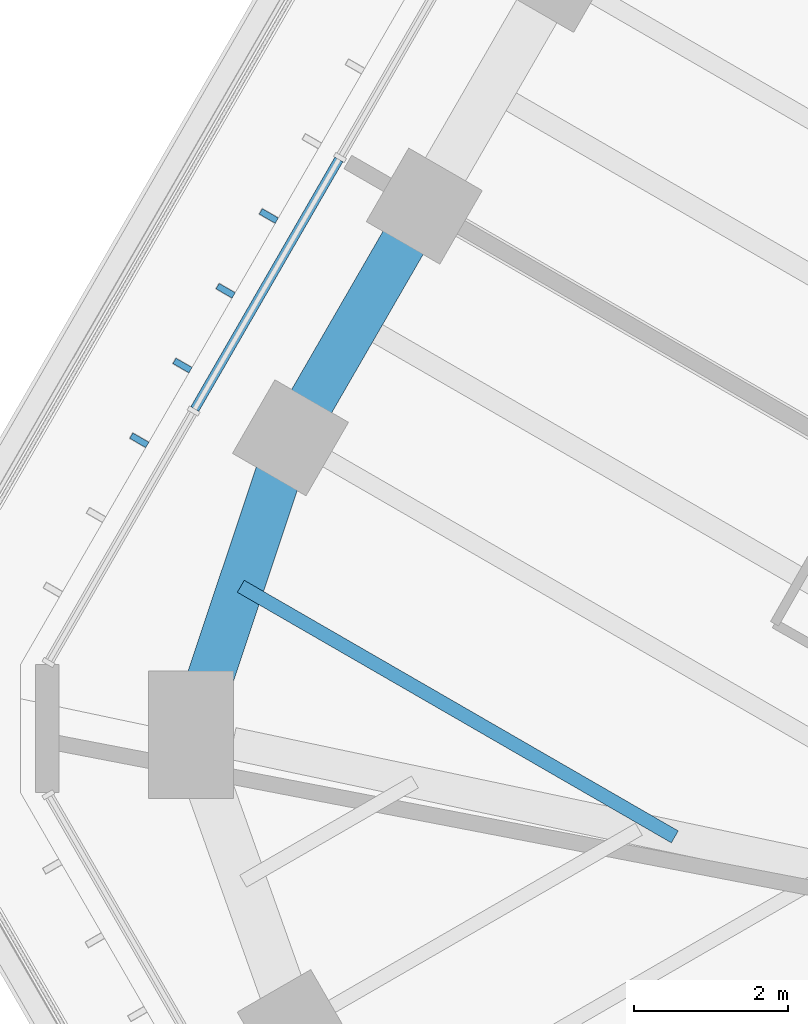
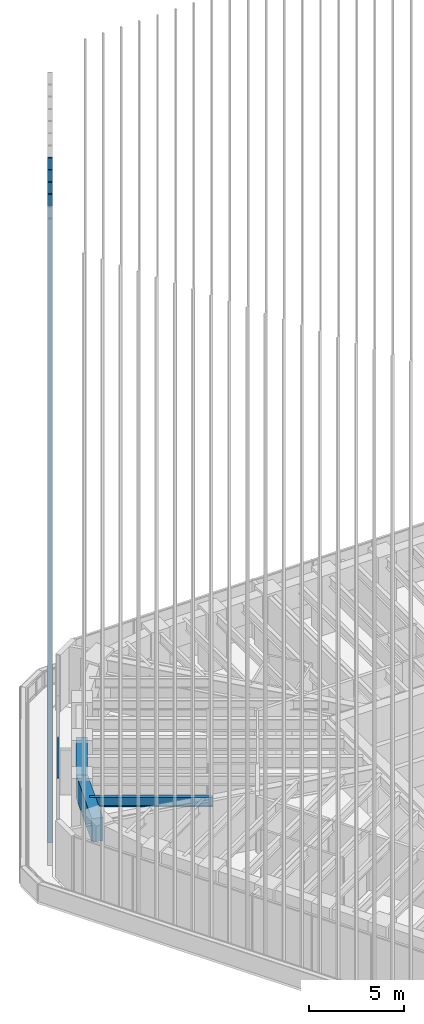
# One storey, part 58 of 127: 5 members, 3 beams, 1 element without a shape of its own.
"""IFC4 building model written with IfcOpenShell, lengths in metres."""

from ifc_helpers import new_model, si_unit, direction, frame, origin, origin_2d, place, context, subcontext, project, spatial, rectangle, i_section, extrude, material, material_profile, profile_set, type_object, element, aggregate, save


model = new_model("IFC4")

# Units and contexts
model_context = context("Model", 3, precision=1e-05, world=origin(), true_north=direction((0.0, 1.0)))
body_context = subcontext(model_context, "Body", "Model", "MODEL_VIEW")
ifc_project = project(units=[si_unit("LENGTHUNIT", "METRE"), si_unit("AREAUNIT", "SQUARE_METRE"), si_unit("VOLUMEUNIT", "CUBIC_METRE"), si_unit("PLANEANGLEUNIT", "RADIAN"), si_unit("MASSUNIT", "GRAM", prefix="KILO")], contexts=[model_context])

# Site, building, storey
site_placement = place(None, origin())
site = spatial("IfcSite", under=ifc_project, at=site_placement, CompositionType="ELEMENT")
building_placement = place(site_placement, origin())
building = spatial("IfcBuilding", under=site, at=building_placement, Name="Sandreach Pilgrim Tower", CompositionType="ELEMENT")
storey_placement = place(building_placement, frame((0.0, 0.0, 257.0)))
storey = spatial("IfcBuildingStorey", under=building, at=storey_placement, Name="L64", CompositionType="ELEMENT", Elevation=257.0)

# Curtain wall, member
ifc_material_1 = material(Name="Aluminium framed curtain wall", Category="aluminium")
curtain_wall_type = type_object("IfcCurtainWallType", Name="Suite tower curtain wall", PredefinedType="NOTDEFINED", material=ifc_material_1)
curtain_wall_placement = place(storey_placement, origin())
curtain_wall = element("IfcCurtainWall", 1, at=curtain_wall_placement, inside=storey, type_object=curtain_wall_type, Name="CW-4 L64 NW", PredefinedType="NOTDEFINED")
ifc_material_2 = material(Name="Aluminium extrusion", Category="aluminium")
ifc_material_profile_1 = material_profile(ifc_material_2, rectangle(XDim=0.1201171875, YDim=0.070068359375, at=origin_2d()), Name="CW-4T 120X70")
ifc_profile_set_1 = profile_set([ifc_material_profile_1], Name="Aluminium extrusion")
member_type_1 = type_object("IfcMemberType", Name="CW-4 transom", PredefinedType="USERDEFINED", material=ifc_profile_set_1)
member_1_placement = place(storey_placement, frame((-23.408447265625, 9.17138671875, 3.60498046875), z_axis=(0.499981083104, 0.866036325184, 0.0), x_axis=(-0.866036325184, 0.499981083104, 0.0)))
member_1 = element("IfcMember", 2, at=member_1_placement, type_object=member_type_1, Name="CW-4 head transom 2", ObjectType="TRANSOM", PredefinedType="USERDEFINED", context=body_context, shape_type="SweptSolid", body=[
    extrude(rectangle(XDim=0.1201171875, YDim=0.070068359375, at=origin_2d()), origin(), (0.0, 0.0, 1.0), 3.731689453125),
])

# Beams
ifc_material_3 = material(Name="Steel ASTM A992 Grade 50", Category="steel")
ifc_material_profile_2 = material_profile(ifc_material_3, i_section(OverallWidth=0.1787109375, OverallDepth=0.60205078125, WebThickness=0.010986328125, FlangeThickness=0.014892578125, at=origin_2d()), Name="W24X62")
ifc_profile_set_2 = profile_set([ifc_material_profile_2], Name="Steel ASTM A992 Grade 50")
beam_type_1 = type_object("IfcBeamType", Name="Floor beam W24X62", PredefinedType="BEAM", material=ifc_profile_set_2)
beam_1_placement = place(storey_placement, frame((-22.8125, 6.875, 3.339111328125), z_axis=(0.866023980233, -0.500002465655, 0.0), x_axis=(0.500002465655, 0.866023980233, 0.0)))
element("IfcBeam", 3, at=beam_1_placement, inside=storey, type_object=beam_type_1, Name="BM L64 FM35", PredefinedType="BEAM", context=body_context, shape_type="SweptSolid", body=[
    extrude(i_section(OverallWidth=0.1787109375, OverallDepth=0.60205078125, WebThickness=0.010986328125, FlangeThickness=0.014892578125, at=origin_2d()), origin(), (0.0, 0.0, 1.0), 6.49072265625),
])
ifc_material_4 = material(Name="Concrete 10000 psi", Category="concrete")
ifc_material_profile_3 = material_profile(ifc_material_4, rectangle(XDim=0.60009765625, YDim=1.5, at=origin_2d()), Name="RC600X1500")
ifc_profile_set_3 = profile_set([ifc_material_profile_3], Name="Concrete 10000 psi")
beam_type_2 = type_object("IfcBeamType", Name="Spandrel beam RC600X1500", PredefinedType="SPANDREL", material=ifc_profile_set_3)
beam_2_placement = place(storey_placement, frame((-23.455810546875, 4.952392578125, 2.889892578125), z_axis=(0.317293238289, 0.948327475578, 0.0), x_axis=(-0.948327475578, 0.317293238289, 0.0)))
element("IfcBeam", 4, at=beam_2_placement, inside=storey, type_object=beam_type_2, Name="BM L64 SP35", PredefinedType="SPANDREL", context=body_context, shape_type="SweptSolid", body=[
    extrude(rectangle(XDim=0.60009765625, YDim=1.5, at=origin_2d()), origin(), (0.0, 0.0, 1.0), 4.054931640625),
])
beam_3_placement = place(storey_placement, frame((-22.169189453125, 8.7978515625, 2.889892578125), z_axis=(0.499980616072, 0.866036594811, 0.0), x_axis=(-0.866036594811, 0.499980616072, 0.0)))
element("IfcBeam", 5, at=beam_3_placement, inside=storey, type_object=beam_type_2, Name="BM L64 SP36", PredefinedType="SPANDREL", context=body_context, shape_type="SweptSolid", body=[
    extrude(rectangle(XDim=0.60009765625, YDim=1.5, at=origin_2d()), origin(), (0.0, 0.0, 1.0), 3.465576171875),
])

# Member
ifc_material_5 = material(Name="Extruded terracotta on aluminium core", Category="masonry")
ifc_material_profile_4 = material_profile(ifc_material_5, rectangle(XDim=0.080078125, YDim=0.239990234375, at=origin_2d()), Name="TBW 80X240")
ifc_profile_set_4 = profile_set([ifc_material_profile_4], Name="Extruded terracotta on aluminium core")
member_type_2 = type_object("IfcMemberType", Name="Terracotta baguette west", PredefinedType="USERDEFINED", material=ifc_profile_set_4)
member_2_placement = place(storey_placement, frame((-24.12744140625, 8.76611328125, 0.0), z_axis=(0.0, 0.0, 1.0), x_axis=(0.5, 0.866025403784, 0.0)))
member_2 = element("IfcMember", 6, at=member_2_placement, type_object=member_type_2, Name="Baguette Z4 NW03", ObjectType="BAGUETTE", PredefinedType="USERDEFINED", context=body_context, shape_type="SweptSolid", body=[
    extrude(rectangle(XDim=0.080078125, YDim=0.239990234375, at=origin_2d()), origin(), (0.0, 0.0, 1.0), 41.639892578125),
])

member_3_placement = place(storey_placement, frame((-23.568359375, 9.734375, 0.0), z_axis=(0.0, 0.0, 1.0), x_axis=(0.5, 0.866025403784, 0.0)))
member_3 = element("IfcMember", 7, at=member_3_placement, type_object=member_type_2, Name="Baguette Z4 NW04", ObjectType="BAGUETTE", PredefinedType="USERDEFINED", context=body_context, shape_type="SweptSolid", body=[
    extrude(rectangle(XDim=0.080078125, YDim=0.239990234375, at=origin_2d()), origin(), (0.0, 0.0, 1.0), 41.639892578125),
])

member_4_placement = place(storey_placement, frame((-23.009521484375, 10.70263671875, 0.0), z_axis=(0.0, 0.0, 1.0), x_axis=(0.5, 0.866025403784, 0.0)))
member_4 = element("IfcMember", 8, at=member_4_placement, type_object=member_type_2, Name="Baguette Z4 NW05", ObjectType="BAGUETTE", PredefinedType="USERDEFINED", context=body_context, shape_type="SweptSolid", body=[
    extrude(rectangle(XDim=0.080078125, YDim=0.239990234375, at=origin_2d()), origin(), (0.0, 0.0, 1.0), 41.639892578125),
])

member_5_placement = place(storey_placement, frame((-22.450439453125, 11.6708984375, 0.0), z_axis=(0.0, 0.0, 1.0), x_axis=(0.5, 0.866025403784, 0.0)))
member_5 = element("IfcMember", 9, at=member_5_placement, type_object=member_type_2, Name="Baguette Z4 NW06", ObjectType="BAGUETTE", PredefinedType="USERDEFINED", context=body_context, shape_type="SweptSolid", body=[
    extrude(rectangle(XDim=0.080078125, YDim=0.239990234375, at=origin_2d()), origin(), (0.0, 0.0, 1.0), 41.639892578125),
])

aggregate(curtain_wall, [member_1, member_2, member_3, member_4, member_5])

save(model, "model.ifc")
